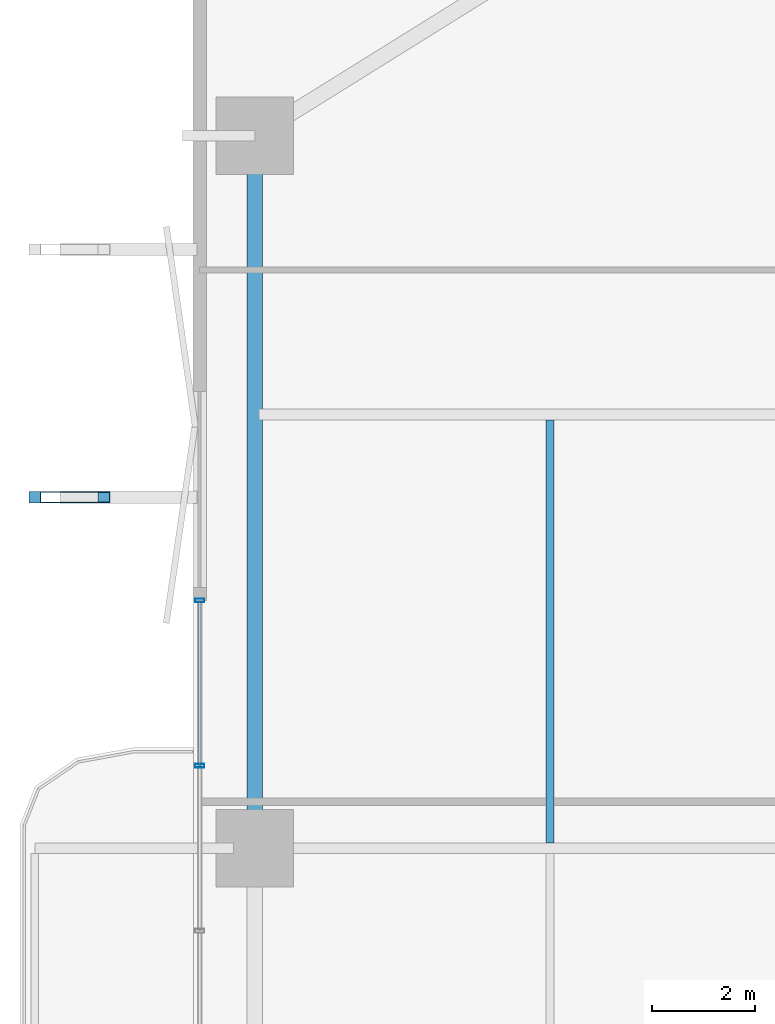
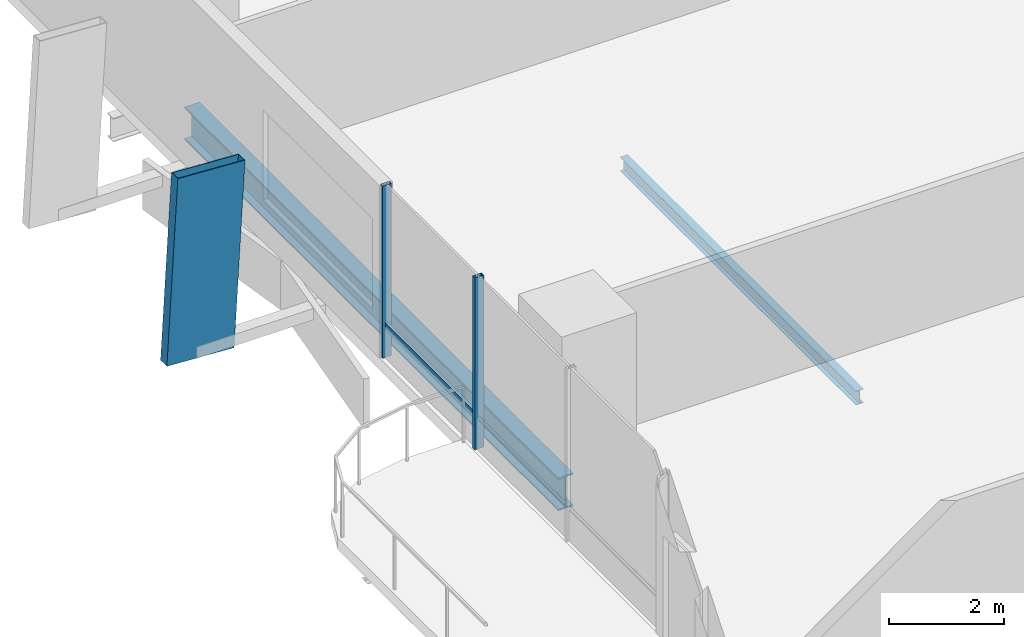
# One storey, part 9 of 24: 4 members, 2 beams, 1 element without a shape of its own.
"""IFC4 building model written with IfcOpenShell, lengths in metres."""

from ifc_helpers import new_model, si_unit, direction, frame, origin, origin_2d, place, context, subcontext, project, spatial, hollow_rectangle, i_section, extrude, material, layer, layer_set, material_profile, profile_set, type_object, element, aggregate, save


model = new_model("IFC4")

# Units and contexts
model_context = context("Model", 3, precision=1e-05, world=origin(), true_north=direction((0.0, 1.0)))
body_context = subcontext(model_context, "Body", "Model", "MODEL_VIEW")
ifc_project = project(units=[si_unit("LENGTHUNIT", "METRE"), si_unit("AREAUNIT", "SQUARE_METRE"), si_unit("VOLUMEUNIT", "CUBIC_METRE"), si_unit("PLANEANGLEUNIT", "RADIAN"), si_unit("MASSUNIT", "GRAM", prefix="KILO")], contexts=[model_context])

# Site, building, storey
site_placement = place(None, origin())
site = spatial("IfcSite", under=ifc_project, at=site_placement, CompositionType="ELEMENT")
building_placement = place(site_placement, origin())
building = spatial("IfcBuilding", under=site, at=building_placement, Name="Belovzor Exchange Tower", CompositionType="ELEMENT")
storey_placement = place(building_placement, frame((0.0, 0.0, 49.5)))
storey = spatial("IfcBuildingStorey", under=building, at=storey_placement, Name="L11", CompositionType="ELEMENT", Elevation=49.5)

# Member
ifc_material_1 = material(Name="Extruded Architectural Terracotta on Steel S355 Carrier", Category="masonry")
ifc_material_profile_1 = material_profile(ifc_material_1, hollow_rectangle(XDim=0.219970703125, YDim=1.35009765625, WallThickness=0.013916015625, at=origin_2d()))
ifc_profile_set_1 = profile_set([ifc_material_profile_1], Name="Extruded Architectural Terracotta on Steel S355 Carrier")
member_type_1 = type_object("IfcMemberType", Name="Base Arc Sweeping Terracotta Pylon Fin 1450", PredefinedType="USERDEFINED", material=ifc_profile_set_1)
member_1_placement = place(storey_placement, frame((-1.597900390625, 35.60009765625, -0.25), z_axis=(0.056065425443, 0.0, 0.998427097023), x_axis=(0.0, 1.0, 0.0)))
element("IfcMember", 1, at=member_1_placement, inside=storey, type_object=member_type_1, Name="FIN-TC145 Terracotta Facade Fin L11 W3", ObjectType="FIN", PredefinedType="USERDEFINED", context=body_context, shape_type="SweptSolid", body=[
    extrude(hollow_rectangle(XDim=0.219970703125, YDim=1.35009765625, WallThickness=0.013916015625, at=origin_2d()), origin(), (0.0, 0.0, 1.0), 3.906005859375),
])

# Beam
ifc_material_2 = material(Name="Steel S355", Category="steel")
ifc_material_profile_2 = material_profile(ifc_material_2, i_section(OverallWidth=0.14990234375, OverallDepth=0.300048828125, WebThickness=0.007080078125, FlangeThickness=0.0107421875, at=origin_2d()))
ifc_profile_set_2 = profile_set([ifc_material_profile_2], Name="Steel S355")
beam_type_1 = type_object("IfcBeamType", Name="Secondary Trim Floor Joist IPE 300", PredefinedType="BEAM", material=ifc_profile_set_2)
beam_1_placement = place(storey_placement, frame((7.81494140625, 28.905029296875, -0.39990234375), z_axis=(0.0, 1.0, 0.0), x_axis=(-1.0, 0.0, 0.0)))
element("IfcBeam", 2, at=beam_1_placement, inside=storey, type_object=beam_type_1, Name="FJ-300 Secondary Trim Floor Joist IPE 300", PredefinedType="BEAM", context=body_context, shape_type="SweptSolid", body=[
    extrude(i_section(OverallWidth=0.14990234375, OverallDepth=0.300048828125, WebThickness=0.007080078125, FlangeThickness=0.0107421875, at=origin_2d()), origin(), (0.0, 0.0, 1.0), 8.18994140625),
])

# Curtain wall, members
ifc_material_3 = material(Name="Anodised Aluminium Framing", Category="aluminium")
ifc_layer = layer(ifc_material_3, 0.179931640625)
ifc_layer_set = layer_set([ifc_layer], Name="Anodised Aluminium Framing")
curtain_wall_type = type_object("IfcCurtainWallType", Name="Recessed Loggia Low-Iron Triple-Glazed Curtain Wall", PredefinedType="NOTDEFINED", material=ifc_layer_set)
curtain_wall_placement = place(storey_placement, origin())
curtain_wall = element("IfcCurtainWall", 3, at=curtain_wall_placement, inside=storey, type_object=curtain_wall_type, Name="CW3 Recessed Loggia Low-Iron Triple-Glazed Curtain Wall L11", PredefinedType="NOTDEFINED")
ifc_material_4 = material(Name="Steel S355", Category="steel")
ifc_material_profile_3 = material_profile(ifc_material_4, hollow_rectangle(XDim=0.074951171875, YDim=0.179931640625, WallThickness=0.0048828125, at=origin_2d()))
ifc_profile_set_3 = profile_set([ifc_material_profile_3], Name="Steel S355")
member_type_2 = type_object("IfcMemberType", Name="Thermally Broken Curtain Wall Mullion 180x75", PredefinedType="MULLION", material=ifc_profile_set_3)
member_2_placement = place(storey_placement, frame((1.030029296875, 30.39990234375, 0.0), z_axis=(0.0, 0.0, 1.0), x_axis=(0.0, 1.0, 0.0)))
member_2 = element("IfcMember", 4, at=member_2_placement, type_object=member_type_2, Name="CW-M180 Curtain Wall Mullion 3", PredefinedType="MULLION", context=body_context, shape_type="SweptSolid", body=[
    extrude(hollow_rectangle(XDim=0.074951171875, YDim=0.179931640625, WallThickness=0.0048828125, at=origin_2d()), origin(), (0.0, 0.0, 1.0), 3.64990234375),
])
member_3_placement = place(storey_placement, frame((1.030029296875, 33.60009765625, 0.0), z_axis=(0.0, 0.0, 1.0), x_axis=(0.0, 1.0, 0.0)))
member_3 = element("IfcMember", 5, at=member_3_placement, type_object=member_type_2, Name="CW-M180 Curtain Wall Mullion 4", PredefinedType="MULLION", context=body_context, shape_type="SweptSolid", body=[
    extrude(hollow_rectangle(XDim=0.074951171875, YDim=0.179931640625, WallThickness=0.0048828125, at=origin_2d()), origin(), (0.0, 0.0, 1.0), 3.64990234375),
])
ifc_material_5 = material(Name="Steel S355", Category="steel")
ifc_material_profile_4 = material_profile(ifc_material_5, hollow_rectangle(XDim=0.06005859375, YDim=0.14990234375, WallThickness=0.00390625, at=origin_2d()))
ifc_profile_set_4 = profile_set([ifc_material_profile_4], Name="Steel S355")
member_type_3 = type_object("IfcMemberType", Name="Thermally Broken Curtain Wall Transom 150x60", PredefinedType="USERDEFINED", material=ifc_profile_set_4)
member_4_placement = place(storey_placement, frame((1.030029296875, 30.407958984375, 0.64990234375), z_axis=(0.0, 1.0, 0.0), x_axis=(-1.0, 0.0, 0.0)))
member_4 = element("IfcMember", 6, at=member_4_placement, type_object=member_type_3, Name="CW-T150 Curtain Wall Transom 3", ObjectType="TRANSOM", PredefinedType="USERDEFINED", context=body_context, shape_type="SweptSolid", body=[
    extrude(hollow_rectangle(XDim=0.06005859375, YDim=0.14990234375, WallThickness=0.00390625, at=origin_2d()), origin(), (0.0, 0.0, 1.0), 3.18408203125),
])
aggregate(curtain_wall, [member_2, member_3, member_4])

# Beam
ifc_material_6 = material(Name="Steel S355", Category="steel")
ifc_material_profile_5 = material_profile(ifc_material_6, i_section(OverallWidth=0.300048828125, OverallDepth=0.699951171875, WebThickness=0.01708984375, FlangeThickness=0.031982421875, at=origin_2d()))
ifc_profile_set_5 = profile_set([ifc_material_profile_5], Name="Steel S355")
beam_type_2 = type_object("IfcBeamType", Name="Zone 1 Primary Perimeter Girder HEB 700", PredefinedType="BEAM", material=ifc_profile_set_5)
beam_2_placement = place(storey_placement, frame((2.10009765625, 42.18798828125, -0.60009765625), z_axis=(0.0, -1.0, 0.0), x_axis=(1.0, 0.0, 0.0)))
element("IfcBeam", 7, at=beam_2_placement, inside=storey, type_object=beam_type_2, Name="FG-Z1 Zone 1 Primary Perimeter Girder HEB 700", PredefinedType="BEAM", context=body_context, shape_type="SweptSolid", body=[
    extrude(i_section(OverallWidth=0.300048828125, OverallDepth=0.699951171875, WebThickness=0.01708984375, FlangeThickness=0.031982421875, at=origin_2d()), origin(), (0.0, 0.0, 1.0), 12.97509765625),
])

save(model, "model.ifc")
